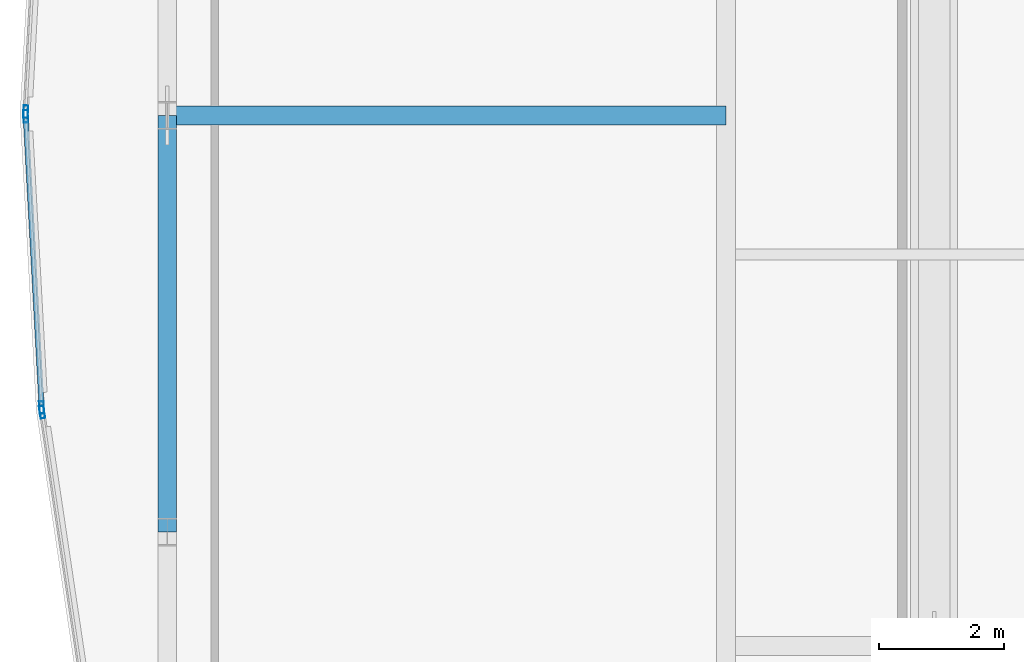
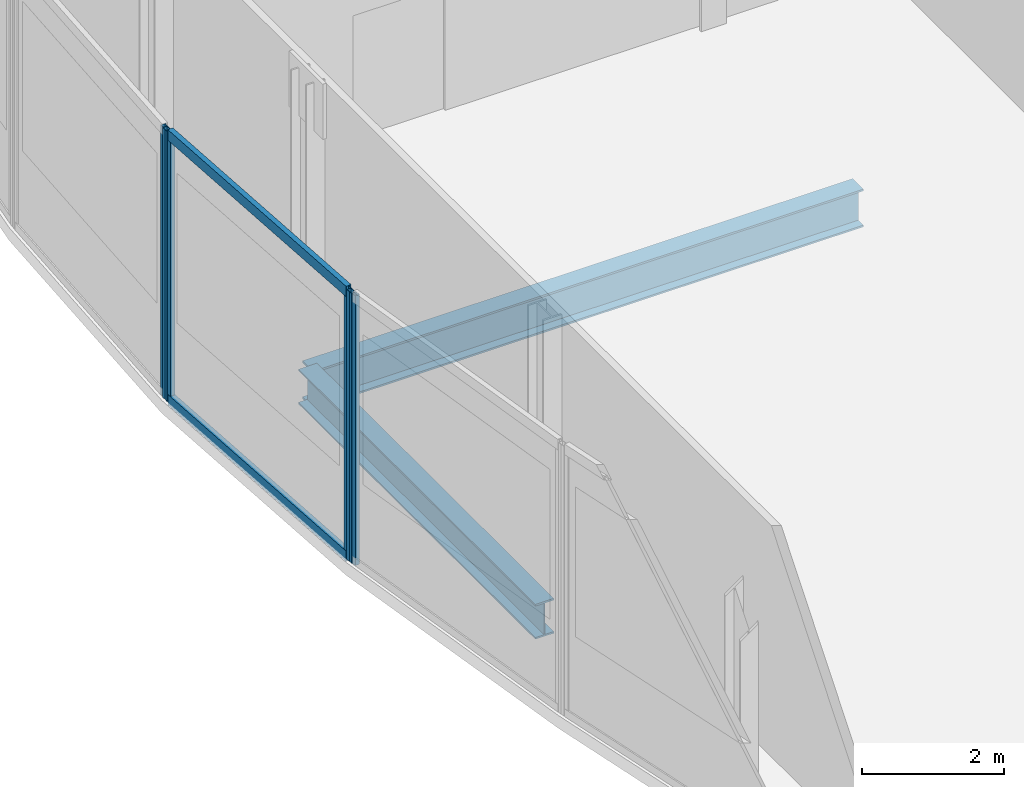
# One storey, part 12 of 32: 6 members, 2 beams, 3 elements without a shape of their own.
"""IFC4 building model written with IfcOpenShell, lengths in metres."""

from ifc_helpers import new_model, si_unit, direction, frame, origin, origin_2d, place, context, subcontext, project, spatial, hollow_rectangle, i_section, extrude, material, material_profile, profile_set, type_object, element, aggregate, save


model = new_model("IFC4")

# Units and contexts
model_context = context("Model", 3, precision=1e-05, world=origin(), true_north=direction((0.0, 1.0)))
body_context = subcontext(model_context, "Body", "Model", "MODEL_VIEW")
ifc_project = project(units=[si_unit("LENGTHUNIT", "METRE"), si_unit("AREAUNIT", "SQUARE_METRE"), si_unit("VOLUMEUNIT", "CUBIC_METRE"), si_unit("PLANEANGLEUNIT", "RADIAN"), si_unit("MASSUNIT", "GRAM", prefix="KILO")], contexts=[model_context])

# Site, building, storey
site_placement = place(None, origin())
site = spatial("IfcSite", under=ifc_project, at=site_placement, CompositionType="ELEMENT")
building_placement = place(site_placement, origin())
building = spatial("IfcBuilding", under=site, at=building_placement, Name="Khoronbel Lancet Exchange", CompositionType="ELEMENT")
storey_placement = place(building_placement, frame((0.0, 0.0, 257.0)))
storey = spatial("IfcBuildingStorey", under=building, at=storey_placement, Name="L66", CompositionType="ELEMENT", Elevation=257.0)

# Beams
ifc_material_1 = material(Name="Steel S355", Category="steel")
ifc_material_profile_1 = material_profile(ifc_material_1, i_section(OverallWidth=0.300048828125, OverallDepth=0.64990234375, WebThickness=0.01611328125, FlangeThickness=0.031005859375, at=origin_2d()), Name="HEB 650")
ifc_profile_set_1 = profile_set([ifc_material_profile_1], Name="Steel S355")
beam_type_1 = type_object("IfcBeamType", Name="BM-BG4", PredefinedType="BEAM", material=ifc_profile_set_1)
beam_1_placement = place(storey_placement, frame((9.27001953125, 31.425048828125, -0.544921875), z_axis=(1.0, 0.0, 0.0), x_axis=(0.0, 1.0, 0.0)))
element("IfcBeam", 1, at=beam_1_placement, inside=storey, type_object=beam_type_1, Name="Level L66 west lens tie girder LG2W", PredefinedType="BEAM", context=body_context, shape_type="SweptSolid", body=[
    extrude(i_section(OverallWidth=0.300048828125, OverallDepth=0.64990234375, WebThickness=0.01611328125, FlangeThickness=0.031005859375, at=origin_2d()), origin(), (0.0, 0.0, 1.0), 8.955078125),
])
ifc_material_profile_2 = material_profile(ifc_material_1, i_section(OverallWidth=0.300048828125, OverallDepth=0.60009765625, WebThickness=0.015380859375, FlangeThickness=0.030029296875, at=origin_2d()), Name="HEB 600")
ifc_profile_set_2 = profile_set([ifc_material_profile_2], Name="Steel S355")
beam_type_2 = type_object("IfcBeamType", Name="BM-BSP2", PredefinedType="SPANDREL", material=ifc_profile_set_2)
beam_2_placement = place(storey_placement, frame((9.27001953125, 31.425048828125, -0.52001953125), z_axis=(0.0, -1.0, 0.0), x_axis=(1.0, 0.0, 0.0)))
element("IfcBeam", 2, at=beam_2_placement, inside=storey, type_object=beam_type_2, Name="Level L66 perimeter spandrel beam SP19", PredefinedType="SPANDREL", context=body_context, shape_type="SweptSolid", body=[
    extrude(i_section(OverallWidth=0.300048828125, OverallDepth=0.60009765625, WebThickness=0.015380859375, FlangeThickness=0.030029296875, at=origin_2d()), origin(), (0.0, 0.0, 1.0), 6.675048828125),
])

# Curtain wall, member
ifc_material_2 = material(Name="Low-E Solar Control Insulating Glass", Category="glass")
curtain_wall_type = type_object("IfcCurtainWallType", Name="CW-4", PredefinedType="NOTDEFINED", material=ifc_material_2)
curtain_wall_1_placement = place(storey_placement, origin())
curtain_wall_1 = element("IfcCurtainWall", 3, at=curtain_wall_1_placement, inside=storey, type_object=curtain_wall_type, Name="Unitised curtain wall CW-L66-E05", PredefinedType="NOTDEFINED")
ifc_material_3 = material(Name="Bronze-Anodised Aluminium 6063-T6", Category="aluminium")
ifc_material_profile_3 = material_profile(ifc_material_3, hollow_rectangle(XDim=0.074951171875, YDim=0.199951171875, WallThickness=0.0048828125, at=origin_2d()), Name="ALU MULLION 75x200")
ifc_profile_set_3 = profile_set([ifc_material_profile_3], Name="Bronze-Anodised Aluminium 6063-T6")
member_type_1 = type_object("IfcMemberType", Name="MEM-CWM2", PredefinedType="MULLION", material=ifc_profile_set_3)
member_1_placement = place(storey_placement, frame((7.26513671875, 26.672119140625, 0.0), z_axis=(0.0, 0.0, 1.0), x_axis=(-0.98900689676, -0.147869395619, 0.0)))
member_1 = element("IfcMember", 4, at=member_1_placement, type_object=member_type_1, Name="CW4 mullion 2", PredefinedType="MULLION", context=body_context, shape_type="SweptSolid", body=[
    extrude(hollow_rectangle(XDim=0.074951171875, YDim=0.199951171875, WallThickness=0.0048828125, at=origin_2d()), origin(), (0.0, 0.0, 1.0), 4.639892578125),
])
aggregate(curtain_wall_1, [member_1])

# Curtain wall, members
curtain_wall_2_placement = place(storey_placement, origin())
curtain_wall_2 = element("IfcCurtainWall", 5, at=curtain_wall_2_placement, inside=storey, type_object=curtain_wall_type, Name="Unitised curtain wall CW-L66-E06", PredefinedType="NOTDEFINED")
member_2_placement = place(storey_placement, frame((7.257568359375, 26.74658203125, 0.0), z_axis=(0.0, 0.0, 1.0), x_axis=(-0.998506467903, -0.05463363027, 0.0)))
member_2 = element("IfcMember", 6, at=member_2_placement, type_object=member_type_1, Name="CW4 mullion 1", PredefinedType="MULLION", context=body_context, shape_type="SweptSolid", body=[
    extrude(hollow_rectangle(XDim=0.074951171875, YDim=0.199951171875, WallThickness=0.0048828125, at=origin_2d()), origin(), (0.0, 0.0, 1.0), 4.639892578125),
])
member_3_placement = place(storey_placement, frame((7.002197265625, 31.41259765625, 0.0), z_axis=(0.0, 0.0, 1.0), x_axis=(-0.998506467903, -0.05463363027, 0.0)))
member_3 = element("IfcMember", 7, at=member_3_placement, type_object=member_type_1, Name="CW4 mullion 2", PredefinedType="MULLION", context=body_context, shape_type="SweptSolid", body=[
    extrude(hollow_rectangle(XDim=0.074951171875, YDim=0.199951171875, WallThickness=0.0048828125, at=origin_2d()), origin(), (0.0, 0.0, 1.0), 4.639892578125),
])

# Curtain wall, member
curtain_wall_3_placement = place(storey_placement, origin())
curtain_wall_3 = element("IfcCurtainWall", 8, at=curtain_wall_3_placement, inside=storey, type_object=curtain_wall_type, Name="Unitised curtain wall CW-L66-E07", PredefinedType="NOTDEFINED")
member_4_placement = place(storey_placement, frame((7.002197265625, 31.487548828125, 0.0), z_axis=(0.0, 0.0, 1.0), x_axis=(-0.998506467903, 0.05463363027, 0.0)))
member_4 = element("IfcMember", 9, at=member_4_placement, type_object=member_type_1, Name="CW4 mullion 1", PredefinedType="MULLION", context=body_context, shape_type="SweptSolid", body=[
    extrude(hollow_rectangle(XDim=0.074951171875, YDim=0.199951171875, WallThickness=0.0048828125, at=origin_2d()), origin(), (0.0, 0.0, 1.0), 4.639892578125),
])
aggregate(curtain_wall_3, [member_4])

# Member
ifc_material_profile_4 = material_profile(ifc_material_3, hollow_rectangle(XDim=0.0849609375, YDim=0.179931640625, WallThickness=0.0048828125, at=origin_2d()), Name="ALU TRANSOM 85x180")
ifc_profile_set_4 = profile_set([ifc_material_profile_4], Name="Bronze-Anodised Aluminium 6063-T6")
member_type_2 = type_object("IfcMemberType", Name="MEM-CWT1", PredefinedType="USERDEFINED", material=ifc_profile_set_4)
member_5_placement = place(storey_placement, frame((7.255615234375, 26.783935546875, 0.04248046875), z_axis=(-0.054637751843, 0.998506242381, 0.0), x_axis=(-0.998506242381, -0.054637751843, 0.0)))
member_5 = element("IfcMember", 10, at=member_5_placement, type_object=member_type_2, Name="CW4 transom 1.1", ObjectType="TRANSOM", PredefinedType="USERDEFINED", context=body_context, shape_type="SweptSolid", body=[
    extrude(hollow_rectangle(XDim=0.0849609375, YDim=0.179931640625, WallThickness=0.0048828125, at=origin_2d()), origin(), (0.0, 0.0, 1.0), 4.597900390625),
])

member_6_placement = place(storey_placement, frame((7.255615234375, 26.783935546875, 4.597412109375), z_axis=(-0.054637751843, 0.998506242381, 0.0), x_axis=(-0.998506242381, -0.054637751843, 0.0)))
member_6 = element("IfcMember", 11, at=member_6_placement, type_object=member_type_2, Name="CW4 transom 1.2", ObjectType="TRANSOM", PredefinedType="USERDEFINED", context=body_context, shape_type="SweptSolid", body=[
    extrude(hollow_rectangle(XDim=0.0849609375, YDim=0.179931640625, WallThickness=0.0048828125, at=origin_2d()), origin(), (0.0, 0.0, 1.0), 4.597900390625),
])

aggregate(curtain_wall_2, [member_2, member_3, member_5, member_6])

save(model, "model.ifc")
